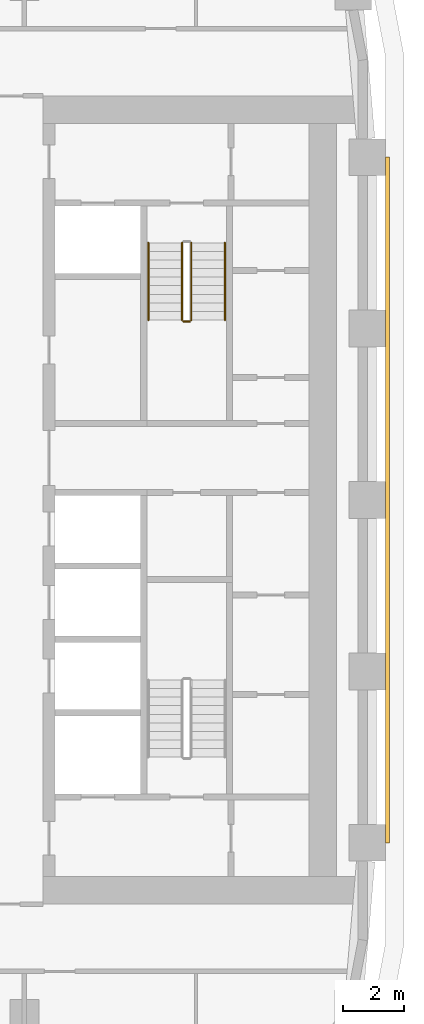
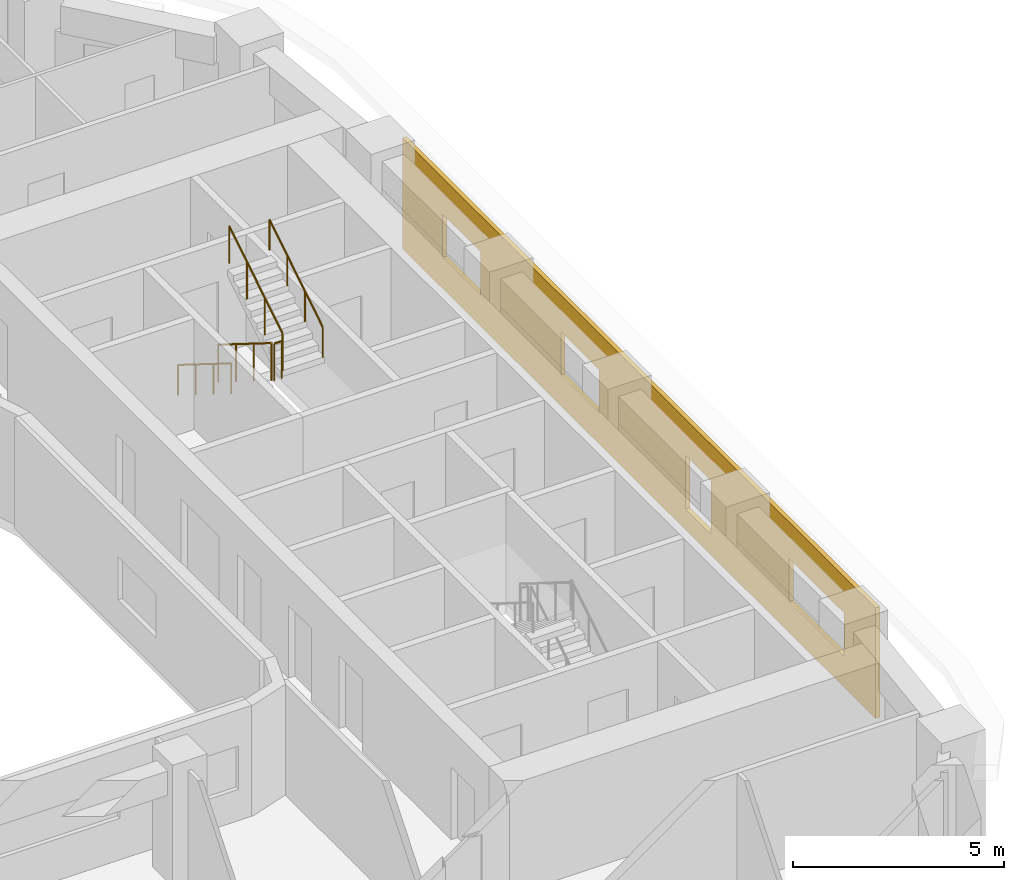
# One storey, part 19 of 22: 5 railings, 1 covering.
"""IFC4 building model written with IfcOpenShell, lengths in metres."""

from ifc_helpers import new_model, si_unit, direction, frame, origin, origin_2d, place, context, subcontext, project, spatial, polyline, circle, outline, extrude, material, layer, layer_set, type_object, element, save


model = new_model("IFC4")

# Units and contexts
model_context = context("Model", 3, precision=1e-05, world=origin(), true_north=direction((0.0, 1.0)))
body_context = subcontext(model_context, "Body", "Model", "MODEL_VIEW")
ifc_project = project(units=[si_unit("LENGTHUNIT", "METRE"), si_unit("AREAUNIT", "SQUARE_METRE"), si_unit("VOLUMEUNIT", "CUBIC_METRE"), si_unit("PLANEANGLEUNIT", "RADIAN"), si_unit("MASSUNIT", "GRAM", prefix="KILO")], contexts=[model_context])

# Site, building, storey
site_placement = place(None, origin())
site = spatial("IfcSite", under=ifc_project, at=site_placement, CompositionType="ELEMENT")
building_placement = place(site_placement, origin())
building = spatial("IfcBuilding", under=site, at=building_placement, Name="Kiln Ring Residences", CompositionType="ELEMENT")
storey_placement = place(building_placement, frame((0.0, 0.0, 111.300048828125)))
storey = spatial("IfcBuildingStorey", under=building, at=storey_placement, Name="L28", CompositionType="ELEMENT", Elevation=111.300048828125)

# Railings
ifc_material_1 = material(Name="Stainless steel", Category="steel")
railing_type_1 = type_object("IfcRailingType", Name="CORE-STAIR-GUARD", PredefinedType="GUARDRAIL", material=ifc_material_1)
railing_1_placement = place(storey_placement, frame((21.949951171875, 8.39990234375, 0.175048828125)))
element("IfcRailing", 1, at=railing_1_placement, inside=storey, type_object=railing_type_1, Name="L28 E-STN stair guard 1", PredefinedType="GUARDRAIL", context=body_context, shape_type="SweptSolid", body=[
    extrude(circle(Radius=0.02392578125, at=origin_2d()), frame((0.0, 0.0, 1.076171875), z_axis=(0.0, -0.848007534815, 0.529984170421), x_axis=(1.0, 0.0, 0.0)), (0.0, 0.0, 1.0), 2.9716796875),
    extrude(circle(Radius=0.02099609375, at=origin_2d()), origin(), (0.0, 0.0, 1.0), 1.052001953125),
    extrude(circle(Radius=0.02099609375, at=origin_2d()), frame((0.0, -0.840087890625, 0.52490234375)), (0.0, 0.0, 1.0), 1.052001953125),
    extrude(circle(Radius=0.02099609375, at=origin_2d()), frame((0.0, -1.679931640625, 1.050048828125)), (0.0, 0.0, 1.0), 1.052001953125),
    extrude(circle(Radius=0.02099609375, at=origin_2d()), frame((0.0, -2.52001953125, 1.574951171875)), (0.0, 0.0, 1.0), 1.052001953125),
])
railing_2_placement = place(storey_placement, frame((22.0, 5.830078125, 1.75)))
element("IfcRailing", 2, at=railing_2_placement, inside=storey, type_object=railing_type_1, Name="L28 E-STN stair guard 2", PredefinedType="GUARDRAIL", context=body_context, shape_type="SweptSolid", body=[
    extrude(circle(Radius=0.02392578125, at=origin_2d()), frame((0.0, 0.0, 1.076171875), z_axis=(1.0, 0.0, 0.0), x_axis=(0.0, 1.0, 0.0)), (0.0, 0.0, 1.0), 0.199951171875),
    extrude(circle(Radius=0.02099609375, at=origin_2d()), origin(), (0.0, 0.0, 1.0), 1.052001953125),
    extrude(circle(Radius=0.02099609375, at=origin_2d()), frame((0.199951171875, 0.0, 0.0)), (0.0, 0.0, 1.0), 1.052001953125),
])
railing_3_placement = place(storey_placement, frame((22.25, 5.8798828125, 1.925048828125)))
element("IfcRailing", 3, at=railing_3_placement, inside=storey, type_object=railing_type_1, Name="L28 E-STN stair guard 3", PredefinedType="GUARDRAIL", context=body_context, shape_type="SweptSolid", body=[
    extrude(circle(Radius=0.02392578125, at=origin_2d()), frame((0.0, 0.0, 1.076171875), z_axis=(0.0, 0.848007534815, 0.529984170421), x_axis=(-1.0, 0.0, 0.0)), (0.0, 0.0, 1.0), 2.9716796875),
    extrude(circle(Radius=0.02099609375, at=origin_2d()), origin(), (0.0, 0.0, 1.0), 1.052001953125),
    extrude(circle(Radius=0.02099609375, at=origin_2d()), frame((0.0, 0.840087890625, 0.52490234375)), (0.0, 0.0, 1.0), 1.052001953125),
    extrude(circle(Radius=0.02099609375, at=origin_2d()), frame((0.0, 1.679931640625, 1.050048828125)), (0.0, 0.0, 1.0), 1.052001953125),
    extrude(circle(Radius=0.02099609375, at=origin_2d()), frame((0.0, 2.52001953125, 1.574951171875)), (0.0, 0.0, 1.0), 1.052001953125),
])
ifc_material_2 = material(Name="Stainless steel", Category="steel")
railing_type_2 = type_object("IfcRailingType", Name="CORE-STAIR-HANDRAIL", PredefinedType="HANDRAIL", material=ifc_material_2)
railing_4_placement = place(storey_placement, frame((20.85009765625, 8.39990234375, 0.175048828125)))
element("IfcRailing", 4, at=railing_4_placement, inside=storey, type_object=railing_type_2, Name="L28 E-STN stair handrail 1", PredefinedType="HANDRAIL", context=body_context, shape_type="SweptSolid", body=[
    extrude(circle(Radius=0.02392578125, at=origin_2d()), frame((0.0, 0.0, 0.8759765625), z_axis=(0.0, -0.848007534815, 0.529984170421), x_axis=(1.0, 0.0, 0.0)), (0.0, 0.0, 1.0), 2.9716796875),
    extrude(circle(Radius=0.02099609375, at=origin_2d()), origin(), (0.0, 0.0, 1.0), 0.851806640625),
    extrude(circle(Radius=0.02099609375, at=origin_2d()), frame((0.0, -0.840087890625, 0.52490234375)), (0.0, 0.0, 1.0), 0.851806640625),
    extrude(circle(Radius=0.02099609375, at=origin_2d()), frame((0.0, -1.679931640625, 1.050048828125)), (0.0, 0.0, 1.0), 0.851806640625),
    extrude(circle(Radius=0.02099609375, at=origin_2d()), frame((0.0, -2.52001953125, 1.574951171875)), (0.0, 0.0, 1.0), 0.851806640625),
])
railing_5_placement = place(storey_placement, frame((23.35009765625, 5.8798828125, 1.925048828125)))
element("IfcRailing", 5, at=railing_5_placement, inside=storey, type_object=railing_type_2, Name="L28 E-STN stair handrail 2", PredefinedType="HANDRAIL", context=body_context, shape_type="SweptSolid", body=[
    extrude(circle(Radius=0.02392578125, at=origin_2d()), frame((0.0, 0.0, 0.8759765625), z_axis=(0.0, 0.848007534815, 0.529984170421), x_axis=(-1.0, 0.0, 0.0)), (0.0, 0.0, 1.0), 2.9716796875),
    extrude(circle(Radius=0.02099609375, at=origin_2d()), origin(), (0.0, 0.0, 1.0), 0.851806640625),
    extrude(circle(Radius=0.02099609375, at=origin_2d()), frame((0.0, 0.840087890625, 0.52490234375)), (0.0, 0.0, 1.0), 0.851806640625),
    extrude(circle(Radius=0.02099609375, at=origin_2d()), frame((0.0, 1.679931640625, 1.050048828125)), (0.0, 0.0, 1.0), 0.851806640625),
    extrude(circle(Radius=0.02099609375, at=origin_2d()), frame((0.0, 2.52001953125, 1.574951171875)), (0.0, 0.0, 1.0), 0.851806640625),
])

# Covering
ifc_material_3 = material(Name="Brick masonry, dark clay brick", Category="masonry")
ifc_layer = layer(ifc_material_3, 0.1201171875)
ifc_layer_set = layer_set([ifc_layer], Name="RAINSCREEN PANEL 120")
covering_type = type_object("IfcCoveringType", Name="RAINSCREEN PANEL 120", PredefinedType="CLADDING", material=ifc_layer_set)
covering_placement = place(storey_placement, frame((28.659912109375, -11.199951171875, 0.0), z_axis=(0.0, 0.0, 1.0), x_axis=(0.0, 1.0, 0.0)))
element("IfcCovering", 6, at=covering_placement, inside=storey, type_object=covering_type, Name="RAINSCREEN L28", PredefinedType="CLADDING", context=body_context, shape_type="SweptSolid", body=[
    extrude(outline(polyline([(0.0, 0.0), (22.39990234375, 0.0), (22.39990234375, 3.199951171875), (0.0, 3.199951171875), (0.0, 0.0)]), holes=[polyline([(9.0, 0.599853515625), (9.0, 2.14990234375), (7.800048828125, 2.14990234375), (7.800048828125, 0.599853515625), (9.0, 0.599853515625)]), polyline([(4.10009765625, 0.89990234375), (4.10009765625, 2.14990234375), (1.5, 2.14990234375), (1.5, 0.89990234375), (4.10009765625, 0.89990234375)]), polyline([(14.89990234375, 0.89990234375), (14.89990234375, 2.14990234375), (13.10009765625, 2.14990234375), (13.10009765625, 0.89990234375), (14.89990234375, 0.89990234375)]), polyline([(20.5, 0.89990234375), (20.5, 2.14990234375), (18.699951171875, 2.14990234375), (18.699951171875, 0.89990234375), (20.5, 0.89990234375)])]), frame((0.0, 0.06005859375, 0.0), z_axis=(0.0, -1.0, 0.0), x_axis=(1.0, 0.0, 0.0)), (0.0, 0.0, 1.0), 0.1201171875),
])

save(model, "model.ifc")
